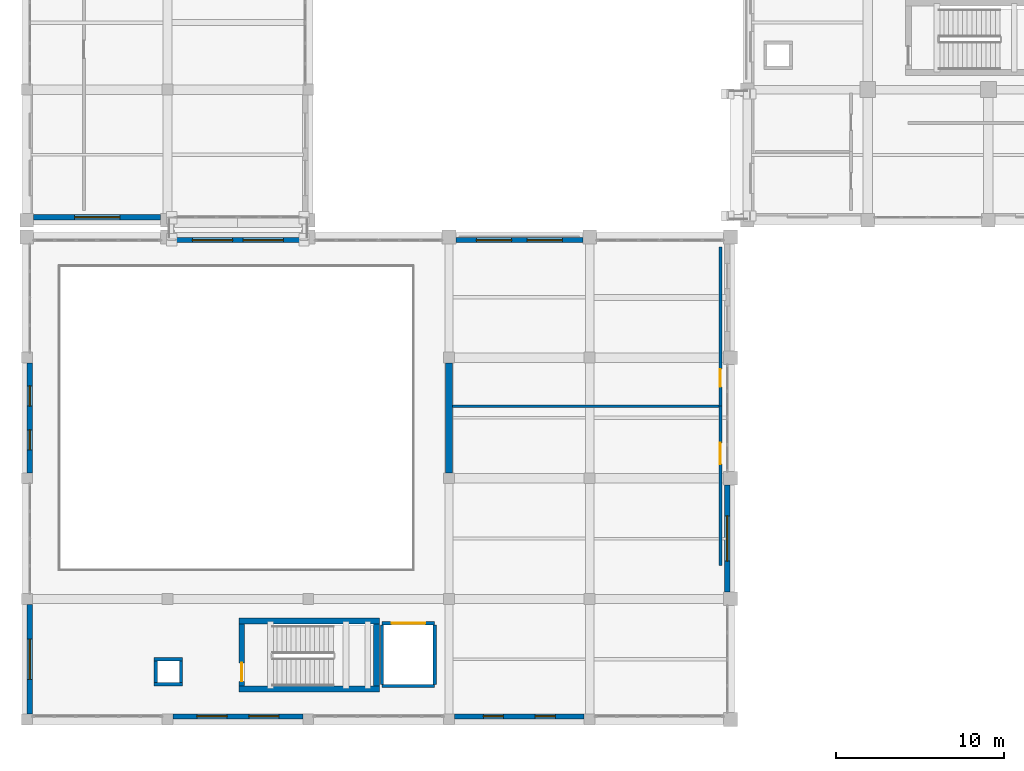
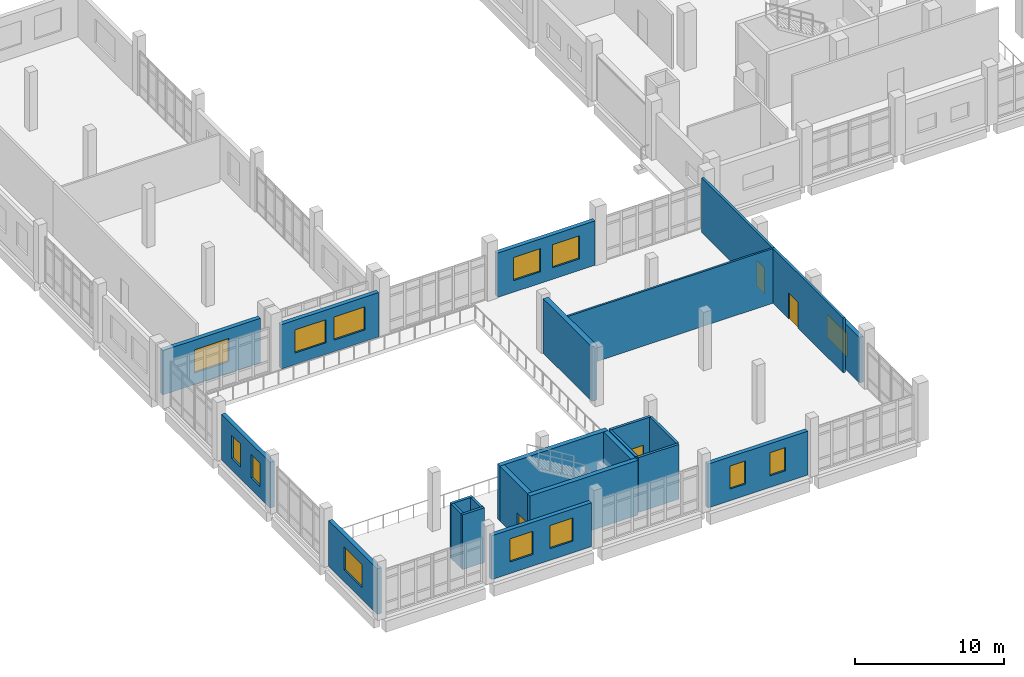
# One storey, part 62 of 90: 24 walls, 13 windows, 4 doors, 17 openings.
"""IFC4 building model written with IfcOpenShell, lengths in metres."""

from ifc_helpers import new_model, si_unit, direction, frame, frame_2d, origin, place, context, subcontext, project, spatial, rectangle, extrude, material, layer, layer_set, type_object, element, fill, save


model = new_model("IFC4")

# Units and contexts
model_context = context("Model", 3, precision=1e-05, world=origin(), true_north=direction((0.0, 1.0)))
body_context = subcontext(model_context, "Body", "Model", "MODEL_VIEW")
ifc_project = project(units=[si_unit("LENGTHUNIT", "METRE"), si_unit("AREAUNIT", "SQUARE_METRE"), si_unit("VOLUMEUNIT", "CUBIC_METRE"), si_unit("PLANEANGLEUNIT", "RADIAN"), si_unit("MASSUNIT", "GRAM", prefix="KILO")], contexts=[model_context])

# Site, building, storey
site_placement = place(None, origin())
site = spatial("IfcSite", under=ifc_project, at=site_placement, CompositionType="ELEMENT")
building_placement = place(site_placement, origin())
building = spatial("IfcBuilding", under=site, at=building_placement, Name="Kelarvand Opera House", CompositionType="ELEMENT")
storey_placement = place(building_placement, frame((0.0, 0.0, 5.39990234375)))
storey = spatial("IfcBuildingStorey", under=building, at=storey_placement, Name="L01", CompositionType="ELEMENT", Elevation=5.39990234375)

# Walls
ifc_material_1 = material(Name="Acoustic double-stud gypsum partition")
ifc_layer_1 = layer(ifc_material_1, 0.14990234375, Name="Acoustic double-stud gypsum partition")
ifc_layer_set_1 = layer_set([ifc_layer_1], Name="Acoustic double-stud gypsum partition")
wall_type_1 = type_object("IfcWallType", Name="Acoustic Room Partition Wall 150", PredefinedType="PARTITIONING", material=ifc_layer_set_1)
wall_1_placement = place(storey_placement, frame((34.39990234375, 27.699951171875, 0.0), z_axis=(0.0, 0.0, 1.0), x_axis=(1.0, 0.0, 0.0)))
element("IfcWall", 1, at=wall_1_placement, inside=storey, type_object=wall_type_1, Name="V4 L01 Partition Wall IW-150 (404)", PredefinedType="PARTITIONING", context=body_context, shape_type="SweptSolid", body=[
    extrude(rectangle(XDim=16.0, YDim=0.14990234375, at=frame_2d((8.0, 0.0))), origin(), (0.0, 0.0, 1.0), 4.4921875),
])
ifc_material_2 = material(Name="Concrete C40/50", Category="concrete")
ifc_layer_2 = layer(ifc_material_2, 0.35009765625, Name="Concrete C40/50", Category="concrete")
ifc_layer_set_2 = layer_set([ifc_layer_2], Name="Concrete C40/50")
wall_type_2 = type_object("IfcWallType", Name="Core Stair and Lift Shear Wall 350", PredefinedType="SHEAR", material=ifc_layer_set_2)
for number, where, z_axis, x_axis, name in (
    (2, (21.64990234375, 10.824951171875, 0.0), (0.0, 0.0, 1.0), (1.0, 0.0, 0.0), "C6 Stair Core Shear Wall S L01"),
    (3, (30.050048828125, 14.875, 0.0), (0.0, 0.0, 1.0), (-1.0, 0.0, 0.0), "C6 Stair Core Shear Wall N L01"),
):
    element("IfcWall", number, at=place(storey_placement, frame(where, z_axis=z_axis, x_axis=x_axis)), inside=storey, type_object=wall_type_2, Name=name, PredefinedType="SHEAR", context=body_context, shape_type="SweptSolid", body=[
        extrude(rectangle(XDim=8.400146484375, YDim=0.35009765625, at=frame_2d((4.2001953125, 0.0))), origin(), (0.0, 0.0, 1.0), 4.5),
    ])

# Wall, opening, door
wall_2_placement = place(storey_placement, frame((21.824951171875, 11.0, 0.0), z_axis=(0.0, 0.0, 1.0), x_axis=(0.0, 1.0, 0.0)))
wall_2 = element("IfcWall", 4, at=wall_2_placement, inside=storey, type_object=wall_type_2, Name="C6 Stair Core Shear Wall W L01", PredefinedType="SHEAR", context=body_context, shape_type="SweptSolid", body=[
    extrude(rectangle(XDim=3.699951171875, YDim=0.35009765625, at=frame_2d((1.85009765625, 0.0))), origin(), (0.0, 0.0, 1.0), 4.5),
])
opening_1_placement = place(wall_2_placement, frame((0.280029296875, 0.0, 0.0)))
opening_1 = element("IfcOpeningElement", 5, at=opening_1_placement, cuts=wall_2, Name="Opening FD-01", PredefinedType="OPENING", context=body_context, shape_type="SweptSolid", body=[
    extrude(rectangle(XDim=1.10009765625, YDim=2.080078125, at=frame_2d((0.550048828125, 1.0400390625))), frame((0.0, 0.18505859375, 0.0), z_axis=(0.0, -1.0, 0.0), x_axis=(1.0, 0.0, 0.0)), (0.0, 0.0, 1.0), 0.3701171875),
])
ifc_material_3 = material(Name="Fire-rated brushed stainless steel", Category="steel")
door_type_1 = type_object("IfcDoorType", Name="Steel Fire-Rated Stair and FF Lobby Door 1100x2080", OperationType="NOTDEFINED", PredefinedType="DOOR", material=ifc_material_3)
door_1_placement = place(opening_1_placement, origin())
door_1 = element("IfcDoor", 6, at=door_1_placement, inside=storey, type_object=door_type_1, Name="C6 Stair ST-06 Fire Door L01", OperationType="SINGLE_SWING_LEFT", OverallHeight=2.080078125, OverallWidth=1.10009765625, PredefinedType="DOOR", context=body_context, shape_type="SweptSolid", body=[
    extrude(rectangle(XDim=1.10009765625, YDim=2.080078125, at=frame_2d((0.550048828125, 1.0400390625))), frame((0.0, 0.02490234375, 0.0), z_axis=(0.0, -1.0, 0.0), x_axis=(1.0, 0.0, 0.0)), (0.0, 0.0, 1.0), 0.050048828125),
])
fill(opening_1, door_1)

# Wall
wall_3_placement = place(storey_placement, frame((29.875, 14.699951171875, 0.0), z_axis=(0.0, 0.0, 1.0), x_axis=(0.0, -1.0, 0.0)))
element("IfcWall", 7, at=wall_3_placement, inside=storey, type_object=wall_type_2, Name="C6 Stair Core Shear Wall E L01", PredefinedType="SHEAR", context=body_context, shape_type="SweptSolid", body=[
    extrude(rectangle(XDim=3.699951171875, YDim=0.35009765625, at=frame_2d((1.85009765625, 0.0))), origin(), (0.0, 0.0, 1.0), 4.5),
])

# Wall, opening, door
ifc_material_4 = material(Name="Concrete C35/45", Category="concrete")
ifc_layer_3 = layer(ifc_material_4, 0.179931640625, Name="Concrete C35/45", Category="concrete")
ifc_layer_set_3 = layer_set([ifc_layer_3], Name="Concrete C35/45")
wall_type_3 = type_object("IfcWallType", Name="Corridor Fire-Rated Partition Wall 180 EI90", PredefinedType="PARTITIONING", material=ifc_layer_set_3)
wall_4_placement = place(storey_placement, frame((50.39990234375, 18.199951171875, 0.0), z_axis=(0.0, 0.0, 1.0), x_axis=(0.0, 1.0, 0.0)))
wall_4 = element("IfcWall", 8, at=wall_4_placement, inside=storey, type_object=wall_type_3, Name="V4 L01 Partition Wall IW-90 (403)", PredefinedType="PARTITIONING", context=body_context, shape_type="SweptSolid", body=[
    extrude(rectangle(XDim=9.5, YDim=0.179931640625, at=frame_2d((4.75, 0.0))), origin(), (0.0, 0.0, 1.0), 4.4921875),
])
opening_2_placement = place(wall_4_placement, frame((6.037109375, 0.0, 0.0)))
opening_2 = element("IfcOpeningElement", 9, at=opening_2_placement, cuts=wall_4, Name="Opening D-11", PredefinedType="OPENING", context=body_context, shape_type="SweptSolid", body=[
    extrude(rectangle(XDim=1.280029296875, YDim=2.139892578125, at=frame_2d((0.64013671875, 1.06982421875))), frame((0.0, 0.10009765625, 0.0), z_axis=(0.0, -1.0, 0.0), x_axis=(1.0, 0.0, 0.0)), (0.0, 0.0, 1.0), 0.199951171875),
])
ifc_material_5 = material(Name="Acoustic walnut-veneered hardwood", Category="wood")
door_type_2 = type_object("IfcDoorType", Name="Instrument Store Leaf-and-Half Door 1280x2140", OperationType="NOTDEFINED", PredefinedType="DOOR", material=ifc_material_5)
door_2_placement = place(opening_2_placement, origin())
door_2 = element("IfcDoor", 10, at=door_2_placement, inside=storey, type_object=door_type_2, Name="V4 L01 Door D-11 (177)", OperationType="SINGLE_SWING_RIGHT", OverallHeight=2.139892578125, OverallWidth=1.280029296875, PredefinedType="DOOR", context=body_context, shape_type="SweptSolid", body=[
    extrude(rectangle(XDim=1.280029296875, YDim=2.139892578125, at=frame_2d((0.64013671875, 1.06982421875))), frame((0.0, 0.02490234375, 0.0), z_axis=(0.0, -1.0, 0.0), x_axis=(1.0, 0.0, 0.0)), (0.0, 0.0, 1.0), 0.050048828125),
])
fill(opening_2, door_2)

wall_5_placement = place(storey_placement, frame((50.39990234375, 27.699951171875, 0.0), z_axis=(0.0, 0.0, 1.0), x_axis=(0.0, 1.0, 0.0)))
wall_5 = element("IfcWall", 11, at=wall_5_placement, inside=storey, type_object=wall_type_3, Name="V4 L01 Partition Wall IW-90 (405)", PredefinedType="PARTITIONING", context=body_context, shape_type="SweptSolid", body=[
    extrude(rectangle(XDim=9.5, YDim=0.179931640625, at=frame_2d((4.75, 0.0))), origin(), (0.0, 0.0, 1.0), 4.4921875),
])
opening_3_placement = place(wall_5_placement, frame((1.160888671875, 0.0, 0.0)))
opening_3 = element("IfcOpeningElement", 12, at=opening_3_placement, cuts=wall_5, Name="Opening D-02", PredefinedType="OPENING", context=body_context, shape_type="SweptSolid", body=[
    extrude(rectangle(XDim=1.050048828125, YDim=2.10009765625, at=frame_2d((0.52490234375, 1.050048828125))), frame((0.0, 0.10009765625, 0.0), z_axis=(0.0, -1.0, 0.0), x_axis=(1.0, 0.0, 0.0)), (0.0, 0.0, 1.0), 0.199951171875),
])
door_type_3 = type_object("IfcDoorType", Name="Acoustic Studio Single Door 1050x2100", OperationType="NOTDEFINED", PredefinedType="DOOR", material=ifc_material_5)
door_3_placement = place(opening_3_placement, origin())
door_3 = element("IfcDoor", 13, at=door_3_placement, inside=storey, type_object=door_type_3, Name="V4 L01 Door D-02 (178)", OperationType="SINGLE_SWING_LEFT", OverallHeight=2.10009765625, OverallWidth=1.050048828125, PredefinedType="DOOR", context=body_context, shape_type="SweptSolid", body=[
    extrude(rectangle(XDim=1.050048828125, YDim=2.10009765625, at=frame_2d((0.52490234375, 1.050048828125))), frame((0.0, 0.02490234375, 0.0), z_axis=(0.0, -1.0, 0.0), x_axis=(1.0, 0.0, 0.0)), (0.0, 0.0, 1.0), 0.050048828125),
])
fill(opening_3, door_3)

# Wall, opening, window
ifc_layer_4 = layer(ifc_material_4, 0.320068359375, Name="Concrete C35/45", Category="concrete")
ifc_layer_set_4 = layer_set([ifc_layer_4], Name="Concrete C35/45")
wall_type_4 = type_object("IfcWallType", Name="Insulated Buff Brick Cavity Wall 320", PredefinedType="SOLIDWALL", material=ifc_layer_set_4)
wall_6_placement = place(storey_placement, frame((9.179931640625, 9.324951171875, 0.0), z_axis=(0.0, 0.0, 1.0), x_axis=(0.0, 1.0, 0.0)))
wall_6 = element("IfcWall", 14, at=wall_6_placement, inside=storey, type_object=wall_type_4, Name="V4 L01 Exterior Wall EW-320 (532)", PredefinedType="SOLIDWALL", context=body_context, shape_type="SweptSolid", body=[
    extrude(rectangle(XDim=6.550048828125, YDim=0.320068359375, at=frame_2d((3.27490234375, 0.0))), origin(), (0.0, 0.0, 1.0), 3.7421875),
])
opening_4_placement = place(wall_6_placement, frame((2.074951171875, 0.0, 0.949951171875)))
opening_4 = element("IfcOpeningElement", 15, at=opening_4_placement, cuts=wall_6, Name="Opening WN-14", PredefinedType="OPENING", context=body_context, shape_type="SweptSolid", body=[
    extrude(rectangle(XDim=2.39990234375, YDim=1.89990234375, at=frame_2d((1.199951171875, 0.949951171875))), frame((0.0, 0.169921875, 0.0), z_axis=(0.0, -1.0, 0.0), x_axis=(1.0, 0.0, 0.0)), (0.0, 0.0, 1.0), 0.340087890625),
])
ifc_material_6 = material(Name="Thermally broken aluminium and low-E double glazing", Category="aluminium")
window_type_1 = type_object("IfcWindowType", Name="Recessed Aluminium Thermal Window 2400x1900 WN-14", PartitioningType="SINGLE_PANEL", PredefinedType="WINDOW", material=ifc_material_6)
window_1_placement = place(opening_4_placement, origin())
window_1 = element("IfcWindow", 16, at=window_1_placement, inside=storey, type_object=window_type_1, Name="V4 L01 Facade Window WN-14 (242)", OverallHeight=1.89990234375, OverallWidth=2.39990234375, PartitioningType="SINGLE_PANEL", PredefinedType="WINDOW", context=body_context, shape_type="SweptSolid", body=[
    extrude(rectangle(XDim=2.39990234375, YDim=1.89990234375, at=frame_2d((1.199951171875, 0.949951171875))), frame((0.0, 0.030029296875, 0.0), z_axis=(0.0, -1.0, 0.0), x_axis=(1.0, 0.0, 0.0)), (0.0, 0.0, 1.0), 0.06005859375),
])
fill(opening_4, window_1)

# Wall, openings, windows
wall_7_placement = place(storey_placement, frame((9.179931640625, 23.72509765625, 0.0), z_axis=(0.0, 0.0, 1.0), x_axis=(0.0, 1.0, 0.0)))
wall_7 = element("IfcWall", 17, at=wall_7_placement, inside=storey, type_object=wall_type_4, Name="V4 L01 Exterior Wall EW-320 (533)", PredefinedType="SOLIDWALL", context=body_context, shape_type="SweptSolid", body=[
    extrude(rectangle(XDim=6.5498046875, YDim=0.320068359375, at=frame_2d((3.27490234375, 0.0))), origin(), (0.0, 0.0, 1.0), 3.7421875),
])
opening_5_placement = place(wall_7_placement, frame((1.364990234375, 0.0, 0.949951171875)))
opening_5 = element("IfcOpeningElement", 18, at=opening_5_placement, cuts=wall_7, Name="Opening WN-10", PredefinedType="OPENING", context=body_context, shape_type="SweptSolid", body=[
    extrude(rectangle(XDim=1.199951171875, YDim=1.89990234375, at=frame_2d((0.60009765625, 0.949951171875))), frame((0.0, 0.169921875, 0.0), z_axis=(0.0, -1.0, 0.0), x_axis=(1.0, 0.0, 0.0)), (0.0, 0.0, 1.0), 0.340087890625),
])
opening_6_placement = place(wall_7_placement, frame((3.985107421875, 0.0, 0.949951171875)))
opening_6 = element("IfcOpeningElement", 19, at=opening_6_placement, cuts=wall_7, Name="Opening WN-10", PredefinedType="OPENING", context=body_context, shape_type="SweptSolid", body=[
    extrude(rectangle(XDim=1.199951171875, YDim=1.89990234375, at=frame_2d((0.60009765625, 0.949951171875))), frame((0.0, 0.169921875, 0.0), z_axis=(0.0, -1.0, 0.0), x_axis=(1.0, 0.0, 0.0)), (0.0, 0.0, 1.0), 0.340087890625),
])
window_type_2 = type_object("IfcWindowType", Name="Recessed Aluminium Thermal Window 1200x1900 WN-10", PartitioningType="SINGLE_PANEL", PredefinedType="WINDOW", material=ifc_material_6)
window_2_placement = place(opening_5_placement, origin())
window_2 = element("IfcWindow", 20, at=window_2_placement, inside=storey, type_object=window_type_2, Name="V4 L01 Facade Window WN-10 (243)", OverallHeight=1.89990234375, OverallWidth=1.199951171875, PartitioningType="SINGLE_PANEL", PredefinedType="WINDOW", context=body_context, shape_type="SweptSolid", body=[
    extrude(rectangle(XDim=1.199951171875, YDim=1.89990234375, at=frame_2d((0.60009765625, 0.949951171875))), frame((0.0, 0.030029296875, 0.0), z_axis=(0.0, -1.0, 0.0), x_axis=(1.0, 0.0, 0.0)), (0.0, 0.0, 1.0), 0.06005859375),
])
fill(opening_5, window_2)
window_3_placement = place(opening_6_placement, origin())
window_3 = element("IfcWindow", 21, at=window_3_placement, inside=storey, type_object=window_type_2, Name="V4 L01 Facade Window WN-10 (244)", OverallHeight=1.89990234375, OverallWidth=1.199951171875, PartitioningType="SINGLE_PANEL", PredefinedType="WINDOW", context=body_context, shape_type="SweptSolid", body=[
    extrude(rectangle(XDim=1.199951171875, YDim=1.89990234375, at=frame_2d((0.60009765625, 0.949951171875))), frame((0.0, 0.030029296875, 0.0), z_axis=(0.0, -1.0, 0.0), x_axis=(1.0, 0.0, 0.0)), (0.0, 0.0, 1.0), 0.06005859375),
])
fill(opening_6, window_3)

wall_8_placement = place(storey_placement, frame((17.81005859375, 37.6201171875, 0.0), z_axis=(0.0, 0.0, 1.0), x_axis=(1.0, 0.0, 0.0)))
wall_8 = element("IfcWall", 22, at=wall_8_placement, inside=storey, type_object=wall_type_4, Name="V4 L01 Exterior Wall EW-320 (534)", PredefinedType="SOLIDWALL", context=body_context, shape_type="SweptSolid", body=[
    extrude(rectangle(XDim=7.579833984375, YDim=0.320068359375, at=frame_2d((3.7900390625, 0.0))), origin(), (0.0, 0.0, 1.0), 3.64208984375),
])
opening_7_placement = place(wall_8_placement, frame((1.073974609375, 0.0, 0.949951171875)))
opening_7 = element("IfcOpeningElement", 23, at=opening_7_placement, cuts=wall_8, Name="Opening WN-14", PredefinedType="OPENING", context=body_context, shape_type="SweptSolid", body=[
    extrude(rectangle(XDim=2.39990234375, YDim=1.89990234375, at=frame_2d((1.199951171875, 0.949951171875))), frame((0.0, 0.169921875, 0.0), z_axis=(0.0, -1.0, 0.0), x_axis=(1.0, 0.0, 0.0)), (0.0, 0.0, 1.0), 0.340087890625),
])
opening_8_placement = place(wall_8_placement, frame((4.10595703125, 0.0, 0.949951171875)))
opening_8 = element("IfcOpeningElement", 24, at=opening_8_placement, cuts=wall_8, Name="Opening WN-14", PredefinedType="OPENING", context=body_context, shape_type="SweptSolid", body=[
    extrude(rectangle(XDim=2.39990234375, YDim=1.89990234375, at=frame_2d((1.199951171875, 0.949951171875))), frame((0.0, 0.169921875, 0.0), z_axis=(0.0, -1.0, 0.0), x_axis=(1.0, 0.0, 0.0)), (0.0, 0.0, 1.0), 0.340087890625),
])
window_4_placement = place(opening_7_placement, origin())
window_4 = element("IfcWindow", 25, at=window_4_placement, inside=storey, type_object=window_type_1, Name="V4 L01 Facade Window WN-14 (245)", OverallHeight=1.89990234375, OverallWidth=2.39990234375, PartitioningType="SINGLE_PANEL", PredefinedType="WINDOW", context=body_context, shape_type="SweptSolid", body=[
    extrude(rectangle(XDim=2.39990234375, YDim=1.89990234375, at=frame_2d((1.199951171875, 0.949951171875))), frame((0.0, 0.030029296875, 0.0), z_axis=(0.0, -1.0, 0.0), x_axis=(1.0, 0.0, 0.0)), (0.0, 0.0, 1.0), 0.06005859375),
])
fill(opening_7, window_4)
window_5_placement = place(opening_8_placement, origin())
window_5 = element("IfcWindow", 26, at=window_5_placement, inside=storey, type_object=window_type_1, Name="V4 L01 Facade Window WN-14 (246)", OverallHeight=1.89990234375, OverallWidth=2.39990234375, PartitioningType="SINGLE_PANEL", PredefinedType="WINDOW", context=body_context, shape_type="SweptSolid", body=[
    extrude(rectangle(XDim=2.39990234375, YDim=1.89990234375, at=frame_2d((1.199951171875, 0.949951171875))), frame((0.0, 0.030029296875, 0.0), z_axis=(0.0, -1.0, 0.0), x_axis=(1.0, 0.0, 0.0)), (0.0, 0.0, 1.0), 0.06005859375),
])
fill(opening_8, window_5)

wall_9_placement = place(storey_placement, frame((34.610107421875, 37.6201171875, 0.0), z_axis=(0.0, 0.0, 1.0), x_axis=(1.0, 0.0, 0.0)))
wall_9 = element("IfcWall", 27, at=wall_9_placement, inside=storey, type_object=wall_type_4, Name="V4 L01 Exterior Wall EW-320 (535)", PredefinedType="SOLIDWALL", context=body_context, shape_type="SweptSolid", body=[
    extrude(rectangle(XDim=7.579833984375, YDim=0.320068359375, at=frame_2d((3.7900390625, 0.0))), origin(), (0.0, 0.0, 1.0), 3.64208984375),
])
opening_9_placement = place(wall_9_placement, frame((1.22412109375, 0.0, 0.949951171875)))
opening_9 = element("IfcOpeningElement", 28, at=opening_9_placement, cuts=wall_9, Name="Opening WN-13", PredefinedType="OPENING", context=body_context, shape_type="SweptSolid", body=[
    extrude(rectangle(XDim=2.10009765625, YDim=1.89990234375, at=frame_2d((1.050048828125, 0.949951171875))), frame((0.0, 0.169921875, 0.0), z_axis=(0.0, -1.0, 0.0), x_axis=(1.0, 0.0, 0.0)), (0.0, 0.0, 1.0), 0.340087890625),
])
opening_10_placement = place(wall_9_placement, frame((4.256103515625, 0.0, 0.949951171875)))
opening_10 = element("IfcOpeningElement", 29, at=opening_10_placement, cuts=wall_9, Name="Opening WN-13", PredefinedType="OPENING", context=body_context, shape_type="SweptSolid", body=[
    extrude(rectangle(XDim=2.10009765625, YDim=1.89990234375, at=frame_2d((1.050048828125, 0.949951171875))), frame((0.0, 0.169921875, 0.0), z_axis=(0.0, -1.0, 0.0), x_axis=(1.0, 0.0, 0.0)), (0.0, 0.0, 1.0), 0.340087890625),
])
window_type_3 = type_object("IfcWindowType", Name="Recessed Aluminium Thermal Window 2100x1900 WN-13", PartitioningType="SINGLE_PANEL", PredefinedType="WINDOW", material=ifc_material_6)
window_6_placement = place(opening_9_placement, origin())
window_6 = element("IfcWindow", 30, at=window_6_placement, inside=storey, type_object=window_type_3, Name="V4 L01 Facade Window WN-13 (247)", OverallHeight=1.89990234375, OverallWidth=2.10009765625, PartitioningType="SINGLE_PANEL", PredefinedType="WINDOW", context=body_context, shape_type="SweptSolid", body=[
    extrude(rectangle(XDim=2.10009765625, YDim=1.89990234375, at=frame_2d((1.050048828125, 0.949951171875))), frame((0.0, 0.030029296875, 0.0), z_axis=(0.0, -1.0, 0.0), x_axis=(1.0, 0.0, 0.0)), (0.0, 0.0, 1.0), 0.06005859375),
])
fill(opening_9, window_6)
window_7_placement = place(opening_10_placement, origin())
window_7 = element("IfcWindow", 31, at=window_7_placement, inside=storey, type_object=window_type_3, Name="V4 L01 Facade Window WN-13 (248)", OverallHeight=1.89990234375, OverallWidth=2.10009765625, PartitioningType="SINGLE_PANEL", PredefinedType="WINDOW", context=body_context, shape_type="SweptSolid", body=[
    extrude(rectangle(XDim=2.10009765625, YDim=1.89990234375, at=frame_2d((1.050048828125, 0.949951171875))), frame((0.0, 0.030029296875, 0.0), z_axis=(0.0, -1.0, 0.0), x_axis=(1.0, 0.0, 0.0)), (0.0, 0.0, 1.0), 0.06005859375),
])
fill(opening_10, window_7)

# Wall, opening, window
wall_10_placement = place(storey_placement, frame((50.820068359375, 22.989990234375, 0.0), z_axis=(0.0, 0.0, 1.0), x_axis=(0.0, -1.0, 0.0)))
wall_10 = element("IfcWall", 32, at=wall_10_placement, inside=storey, type_object=wall_type_4, Name="V4 L01 Exterior Wall EW-320 (537)", PredefinedType="SOLIDWALL", context=body_context, shape_type="SweptSolid", body=[
    extrude(rectangle(XDim=6.3798828125, YDim=0.320068359375, at=frame_2d((3.18994140625, 0.0))), origin(), (0.0, 0.0, 1.0), 3.7421875),
])
opening_11_placement = place(wall_10_placement, frame((1.840087890625, 0.0, 0.949951171875)))
opening_11 = element("IfcOpeningElement", 33, at=opening_11_placement, cuts=wall_10, Name="Opening WN-15", PredefinedType="OPENING", context=body_context, shape_type="SweptSolid", body=[
    extrude(rectangle(XDim=2.699951171875, YDim=1.89990234375, at=frame_2d((1.35009765625, 0.949951171875))), frame((0.0, 0.169921875, 0.0), z_axis=(0.0, -1.0, 0.0), x_axis=(1.0, 0.0, 0.0)), (0.0, 0.0, 1.0), 0.340087890625),
])
window_type_4 = type_object("IfcWindowType", Name="Recessed Aluminium Thermal Window 2700x1900 WN-15", PartitioningType="SINGLE_PANEL", PredefinedType="WINDOW", material=ifc_material_6)
window_8_placement = place(opening_11_placement, origin())
window_8 = element("IfcWindow", 34, at=window_8_placement, inside=storey, type_object=window_type_4, Name="V4 L01 Facade Window WN-15 (251)", OverallHeight=1.89990234375, OverallWidth=2.699951171875, PartitioningType="SINGLE_PANEL", PredefinedType="WINDOW", context=body_context, shape_type="SweptSolid", body=[
    extrude(rectangle(XDim=2.699951171875, YDim=1.89990234375, at=frame_2d((1.35009765625, 0.949951171875))), frame((0.0, 0.030029296875, 0.0), z_axis=(0.0, -1.0, 0.0), x_axis=(1.0, 0.0, 0.0)), (0.0, 0.0, 1.0), 0.06005859375),
])
fill(opening_11, window_8)

# Wall, openings, windows
wall_11_placement = place(storey_placement, frame((42.27490234375, 9.179931640625, 0.0), z_axis=(0.0, 0.0, 1.0), x_axis=(-1.0, 0.0, 0.0)))
wall_11 = element("IfcWall", 35, at=wall_11_placement, inside=storey, type_object=wall_type_4, Name="V4 L01 Exterior Wall EW-320 (538)", PredefinedType="SOLIDWALL", context=body_context, shape_type="SweptSolid", body=[
    extrude(rectangle(XDim=7.75, YDim=0.320068359375, at=frame_2d((3.875, 0.0))), origin(), (0.0, 0.0, 1.0), 3.592041015625),
])
opening_12_placement = place(wall_11_placement, frame((1.72509765625, 0.0, 0.949951171875)))
opening_12 = element("IfcOpeningElement", 36, at=opening_12_placement, cuts=wall_11, Name="Opening WN-10", PredefinedType="OPENING", context=body_context, shape_type="SweptSolid", body=[
    extrude(rectangle(XDim=1.199951171875, YDim=1.89990234375, at=frame_2d((0.60009765625, 0.949951171875))), frame((0.0, 0.169921875, 0.0), z_axis=(0.0, -1.0, 0.0), x_axis=(1.0, 0.0, 0.0)), (0.0, 0.0, 1.0), 0.340087890625),
])
opening_13_placement = place(wall_11_placement, frame((4.824951171875, 0.0, 0.949951171875)))
opening_13 = element("IfcOpeningElement", 37, at=opening_13_placement, cuts=wall_11, Name="Opening WN-10", PredefinedType="OPENING", context=body_context, shape_type="SweptSolid", body=[
    extrude(rectangle(XDim=1.199951171875, YDim=1.89990234375, at=frame_2d((0.60009765625, 0.949951171875))), frame((0.0, 0.169921875, 0.0), z_axis=(0.0, -1.0, 0.0), x_axis=(1.0, 0.0, 0.0)), (0.0, 0.0, 1.0), 0.340087890625),
])
window_9_placement = place(opening_12_placement, origin())
window_9 = element("IfcWindow", 38, at=window_9_placement, inside=storey, type_object=window_type_2, Name="V4 L01 Facade Window WN-10 (252)", OverallHeight=1.89990234375, OverallWidth=1.199951171875, PartitioningType="SINGLE_PANEL", PredefinedType="WINDOW", context=body_context, shape_type="SweptSolid", body=[
    extrude(rectangle(XDim=1.199951171875, YDim=1.89990234375, at=frame_2d((0.60009765625, 0.949951171875))), frame((0.0, 0.030029296875, 0.0), z_axis=(0.0, -1.0, 0.0), x_axis=(1.0, 0.0, 0.0)), (0.0, 0.0, 1.0), 0.06005859375),
])
fill(opening_12, window_9)
window_10_placement = place(opening_13_placement, origin())
window_10 = element("IfcWindow", 39, at=window_10_placement, inside=storey, type_object=window_type_2, Name="V4 L01 Facade Window WN-10 (253)", OverallHeight=1.89990234375, OverallWidth=1.199951171875, PartitioningType="SINGLE_PANEL", PredefinedType="WINDOW", context=body_context, shape_type="SweptSolid", body=[
    extrude(rectangle(XDim=1.199951171875, YDim=1.89990234375, at=frame_2d((0.60009765625, 0.949951171875))), frame((0.0, 0.030029296875, 0.0), z_axis=(0.0, -1.0, 0.0), x_axis=(1.0, 0.0, 0.0)), (0.0, 0.0, 1.0), 0.06005859375),
])
fill(opening_13, window_10)

wall_12_placement = place(storey_placement, frame((25.47509765625, 9.179931640625, 0.0), z_axis=(0.0, 0.0, 1.0), x_axis=(-1.0, 0.0, 0.0)))
wall_12 = element("IfcWall", 40, at=wall_12_placement, inside=storey, type_object=wall_type_4, Name="V4 L01 Exterior Wall EW-320 (539)", PredefinedType="SOLIDWALL", context=body_context, shape_type="SweptSolid", body=[
    extrude(rectangle(XDim=7.75, YDim=0.320068359375, at=frame_2d((3.875, 0.0))), origin(), (0.0, 0.0, 1.0), 3.592041015625),
])
opening_14_placement = place(wall_12_placement, frame((1.425048828125, 0.0, 0.949951171875)))
opening_14 = element("IfcOpeningElement", 41, at=opening_14_placement, cuts=wall_12, Name="Opening WN-12", PredefinedType="OPENING", context=body_context, shape_type="SweptSolid", body=[
    extrude(rectangle(XDim=1.800048828125, YDim=1.89990234375, at=frame_2d((0.89990234375, 0.949951171875))), frame((0.0, 0.169921875, 0.0), z_axis=(0.0, -1.0, 0.0), x_axis=(1.0, 0.0, 0.0)), (0.0, 0.0, 1.0), 0.340087890625),
])
opening_15_placement = place(wall_12_placement, frame((4.52490234375, 0.0, 0.949951171875)))
opening_15 = element("IfcOpeningElement", 42, at=opening_15_placement, cuts=wall_12, Name="Opening WN-12", PredefinedType="OPENING", context=body_context, shape_type="SweptSolid", body=[
    extrude(rectangle(XDim=1.800048828125, YDim=1.89990234375, at=frame_2d((0.89990234375, 0.949951171875))), frame((0.0, 0.169921875, 0.0), z_axis=(0.0, -1.0, 0.0), x_axis=(1.0, 0.0, 0.0)), (0.0, 0.0, 1.0), 0.340087890625),
])
window_type_5 = type_object("IfcWindowType", Name="Recessed Aluminium Thermal Window 1800x1900 WN-12", PartitioningType="SINGLE_PANEL", PredefinedType="WINDOW", material=ifc_material_6)
window_11_placement = place(opening_14_placement, origin())
window_11 = element("IfcWindow", 43, at=window_11_placement, inside=storey, type_object=window_type_5, Name="V4 L01 Facade Window WN-12 (254)", OverallHeight=1.89990234375, OverallWidth=1.800048828125, PartitioningType="SINGLE_PANEL", PredefinedType="WINDOW", context=body_context, shape_type="SweptSolid", body=[
    extrude(rectangle(XDim=1.800048828125, YDim=1.89990234375, at=frame_2d((0.89990234375, 0.949951171875))), frame((0.0, 0.030029296875, 0.0), z_axis=(0.0, -1.0, 0.0), x_axis=(1.0, 0.0, 0.0)), (0.0, 0.0, 1.0), 0.06005859375),
])
fill(opening_14, window_11)
window_12_placement = place(opening_15_placement, origin())
window_12 = element("IfcWindow", 44, at=window_12_placement, inside=storey, type_object=window_type_5, Name="V4 L01 Facade Window WN-12 (255)", OverallHeight=1.89990234375, OverallWidth=1.800048828125, PartitioningType="SINGLE_PANEL", PredefinedType="WINDOW", context=body_context, shape_type="SweptSolid", body=[
    extrude(rectangle(XDim=1.800048828125, YDim=1.89990234375, at=frame_2d((0.89990234375, 0.949951171875))), frame((0.0, 0.030029296875, 0.0), z_axis=(0.0, -1.0, 0.0), x_axis=(1.0, 0.0, 0.0)), (0.0, 0.0, 1.0), 0.06005859375),
])
fill(opening_15, window_12)

# Wall, opening, window
wall_13_placement = place(storey_placement, frame((16.989990234375, 38.97998046875, 0.0), z_axis=(0.0, 0.0, 1.0), x_axis=(-1.0, 0.0, 0.0)))
wall_13 = element("IfcWall", 45, at=wall_13_placement, inside=storey, type_object=wall_type_4, Name="V4 L01 Exterior Wall EW-320 (547)", PredefinedType="SOLIDWALL", context=body_context, shape_type="SweptSolid", body=[
    extrude(rectangle(XDim=7.580078125, YDim=0.320068359375, at=frame_2d((3.7900390625, 0.0))), origin(), (0.0, 0.0, 1.0), 3.64208984375),
])
opening_16_placement = place(wall_13_placement, frame((2.43994140625, 0.0, 0.949951171875)))
opening_16 = element("IfcOpeningElement", 46, at=opening_16_placement, cuts=wall_13, Name="Opening WN-15", PredefinedType="OPENING", context=body_context, shape_type="SweptSolid", body=[
    extrude(rectangle(XDim=2.699951171875, YDim=1.89990234375, at=frame_2d((1.35009765625, 0.949951171875))), frame((0.0, 0.169921875, 0.0), z_axis=(0.0, -1.0, 0.0), x_axis=(1.0, 0.0, 0.0)), (0.0, 0.0, 1.0), 0.340087890625),
])
window_13_placement = place(opening_16_placement, origin())
window_13 = element("IfcWindow", 47, at=window_13_placement, inside=storey, type_object=window_type_4, Name="V4 L01 Facade Window WN-15 (268)", OverallHeight=1.89990234375, OverallWidth=2.699951171875, PartitioningType="SINGLE_PANEL", PredefinedType="WINDOW", context=body_context, shape_type="SweptSolid", body=[
    extrude(rectangle(XDim=2.699951171875, YDim=1.89990234375, at=frame_2d((1.35009765625, 0.949951171875))), frame((0.0, 0.030029296875, 0.0), z_axis=(0.0, -1.0, 0.0), x_axis=(1.0, 0.0, 0.0)), (0.0, 0.0, 1.0), 0.06005859375),
])
fill(opening_16, window_13)

# Walls
ifc_layer_5 = layer(ifc_material_4, 0.199951171875, Name="Concrete C35/45", Category="concrete")
ifc_layer_set_5 = layer_set([ifc_layer_5], Name="Concrete C35/45")
wall_type_5 = type_object("IfcWallType", Name="Lift and Riser Shaft Enclosure Wall 200 EI120", PredefinedType="PARTITIONING", material=ifc_layer_set_5)
for number, where, z_axis, x_axis, name in (
    (48, (16.60009765625, 11.10009765625, 0.0), (0.0, 0.0, 1.0), (1.0, 0.0, 0.0), "RSR-V4 L01 Riser Shaft Wall 109"),
    (49, (18.300048828125, 12.60009765625, 0.0), (0.0, 0.0, 1.0), (-1.0, 0.0, 0.0), "RSR-V4 L01 Riser Shaft Wall 110"),
):
    element("IfcWall", number, at=place(storey_placement, frame(where, z_axis=z_axis, x_axis=x_axis)), inside=storey, type_object=wall_type_5, Name=name, PredefinedType="PARTITIONING", context=body_context, shape_type="SweptSolid", body=[
        extrude(rectangle(XDim=1.699951171875, YDim=0.199951171875, at=frame_2d((0.85009765625, 0.0))), origin(), (0.0, 0.0, 1.0), 4.5),
    ])
for number, where, z_axis, x_axis, name in (
    (50, (16.699951171875, 11.199951171875, 0.0), (0.0, 0.0, 1.0), (0.0, 1.0, 0.0), "RSR-V4 L01 Riser Shaft Wall 111"),
    (51, (18.199951171875, 12.5, 0.0), (0.0, 0.0, 1.0), (0.0, -1.0, 0.0), "RSR-V4 L01 Riser Shaft Wall 112"),
):
    element("IfcWall", number, at=place(storey_placement, frame(where, z_axis=z_axis, x_axis=x_axis)), inside=storey, type_object=wall_type_5, Name=name, PredefinedType="PARTITIONING", context=body_context, shape_type="SweptSolid", body=[
        extrude(rectangle(XDim=1.300048828125, YDim=0.199951171875, at=frame_2d((0.64990234375, 0.0))), origin(), (0.0, 0.0, 1.0), 4.5),
    ])
wall_14_placement = place(storey_placement, frame((30.199951171875, 11.0, 0.0), z_axis=(0.0, 0.0, 1.0), x_axis=(1.0, 0.0, 0.0)))
element("IfcWall", 52, at=wall_14_placement, inside=storey, type_object=wall_type_5, Name="V4 L01 Partition Wall SW-200 (352)", PredefinedType="PARTITIONING", context=body_context, shape_type="SweptSolid", body=[
    extrude(rectangle(XDim=3.150146484375, YDim=0.199951171875, at=frame_2d((1.5751953125, 0.0))), origin(), (0.0, 0.0, 1.0), 4.4921875),
])

# Wall, opening, door
wall_15_placement = place(storey_placement, frame((33.35009765625, 14.75, 0.0), z_axis=(0.0, 0.0, 1.0), x_axis=(-1.0, 0.0, 0.0)))
wall_15 = element("IfcWall", 53, at=wall_15_placement, inside=storey, type_object=wall_type_5, Name="V4 L01 Partition Wall SW-200 (353)", PredefinedType="PARTITIONING", context=body_context, shape_type="SweptSolid", body=[
    extrude(rectangle(XDim=3.150146484375, YDim=0.199951171875, at=frame_2d((1.5751953125, 0.0))), origin(), (0.0, 0.0, 1.0), 4.4921875),
])
opening_17_placement = place(wall_15_placement, frame((0.574951171875, 0.0, 0.0)))
opening_17 = element("IfcOpeningElement", 54, at=opening_17_placement, cuts=wall_15, Name="Opening LD-03", PredefinedType="OPENING", context=body_context, shape_type="SweptSolid", body=[
    extrude(rectangle(XDim=2.0, YDim=2.35009765625, at=frame_2d((1.0, 1.175048828125))), frame((0.0, 0.10986328125, 0.0), z_axis=(0.0, -1.0, 0.0), x_axis=(1.0, 0.0, 0.0)), (0.0, 0.0, 1.0), 0.219970703125),
])
door_type_4 = type_object("IfcDoorType", Name="Scenery Goods Lift Sliding Landing Door 2000x2350", OperationType="SLIDING_TO_LEFT", PredefinedType="DOOR", material=ifc_material_3)
door_4_placement = place(opening_17_placement, origin())
door_4 = element("IfcDoor", 55, at=door_4_placement, inside=storey, type_object=door_type_4, Name="V4 L01 Door LD-03 (153)", OperationType="SLIDING_TO_LEFT", OverallHeight=2.35009765625, OverallWidth=2.0, PredefinedType="DOOR", context=body_context, shape_type="SweptSolid", body=[
    extrude(rectangle(XDim=2.0, YDim=2.35009765625, at=frame_2d((1.0, 1.175048828125))), frame((0.0, 0.02490234375, 0.0), z_axis=(0.0, -1.0, 0.0), x_axis=(1.0, 0.0, 0.0)), (0.0, 0.0, 1.0), 0.050048828125),
])
fill(opening_17, door_4)

# Walls
for number, where, z_axis, x_axis, name in (
    (56, (30.199951171875, 11.10009765625, 0.0), (0.0, 0.0, 1.0), (0.0, 1.0, 0.0), "V4 L01 Partition Wall SW-200 (354)"),
    (57, (33.35009765625, 14.64990234375, 0.0), (0.0, 0.0, 1.0), (0.0, -1.0, 0.0), "V4 L01 Partition Wall SW-200 (355)"),
):
    element("IfcWall", number, at=place(storey_placement, frame(where, z_axis=z_axis, x_axis=x_axis)), inside=storey, type_object=wall_type_5, Name=name, PredefinedType="PARTITIONING", context=body_context, shape_type="SweptSolid", body=[
        extrude(rectangle(XDim=3.5498046875, YDim=0.199951171875, at=frame_2d((1.77490234375, 0.0))), origin(), (0.0, 0.0, 1.0), 4.4921875),
    ])
ifc_layer_6 = layer(ifc_material_2, 0.39990234375, Name="Concrete C40/50", Category="concrete")
ifc_layer_set_6 = layer_set([ifc_layer_6], Name="Concrete C40/50")
wall_type_6 = type_object("IfcWallType", Name="Seismic Compartment Shear Wall 400", PredefinedType="SHEAR", material=ifc_layer_set_6)
wall_16_placement = place(storey_placement, frame((34.199951171875, 23.72509765625, 0.0), z_axis=(0.0, 0.0, 1.0), x_axis=(0.0, 1.0, 0.0)))
element("IfcWall", 58, at=wall_16_placement, inside=storey, type_object=wall_type_6, Name="V4 Shear Wall CW-120 L01", PredefinedType="SHEAR", context=body_context, shape_type="SweptSolid", body=[
    extrude(rectangle(XDim=6.5498046875, YDim=0.39990234375, at=frame_2d((3.27490234375, 0.0))), origin(), (0.0, 0.0, 1.0), 4.47998046875),
])

save(model, "model.ifc")
